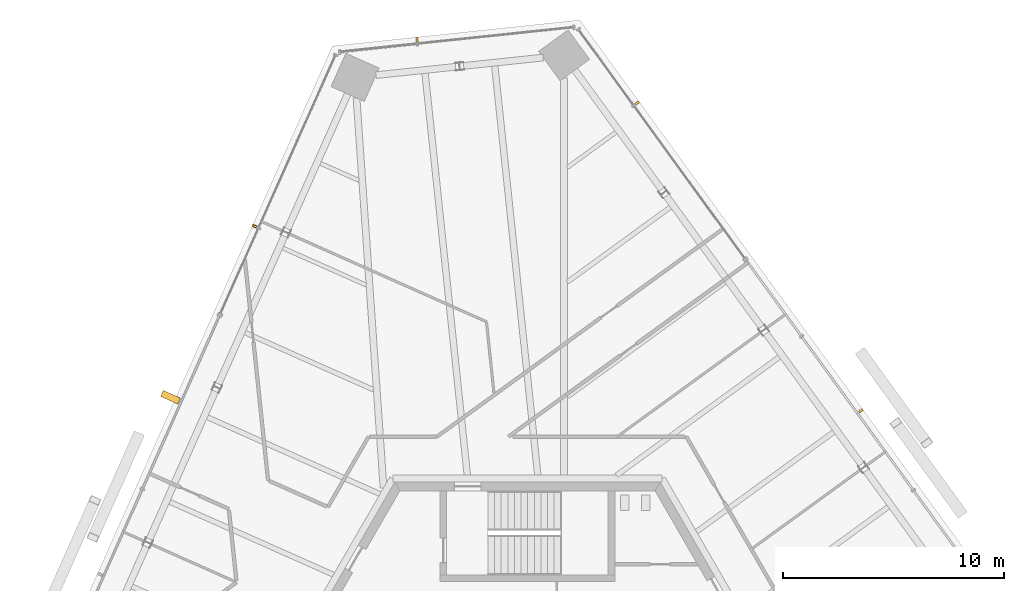
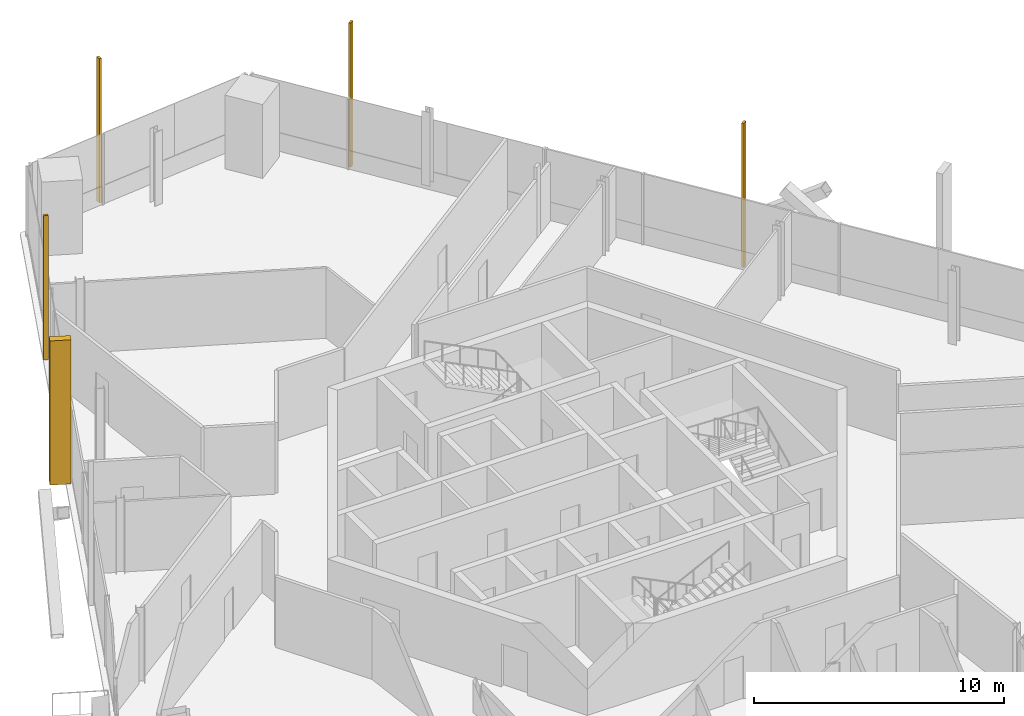
# One storey, part 17 of 20: 5 shading devices.
"""IFC4 building model written with IfcOpenShell, lengths in metres."""

from ifc_helpers import new_model, si_unit, direction, frame, origin, origin_2d, place, context, subcontext, project, spatial, rectangle, extrude, source, transform, mapped, material, element, save


model = new_model("IFC4")

# Units and contexts
model_context = context("Model", 3, precision=1e-05, world=origin(), true_north=direction((0.0, 1.0)))
body_context = subcontext(model_context, "Body", "Model", "MODEL_VIEW")
ifc_project = project(units=[si_unit("LENGTHUNIT", "METRE"), si_unit("AREAUNIT", "SQUARE_METRE"), si_unit("VOLUMEUNIT", "CUBIC_METRE"), si_unit("PLANEANGLEUNIT", "RADIAN"), si_unit("MASSUNIT", "GRAM", prefix="KILO")], contexts=[model_context])

# Site, building, storey
site_placement = place(None, origin())
site = spatial("IfcSite", under=ifc_project, at=site_placement, CompositionType="ELEMENT")
building_placement = place(site_placement, origin())
building = spatial("IfcBuilding", under=site, at=building_placement, Name="Triune Harvest Tower", CompositionType="ELEMENT")
storey_placement = place(building_placement, frame((0.0, 0.0, 234.10009765625)))
storey = spatial("IfcBuildingStorey", under=building, at=storey_placement, Name="L61", CompositionType="ELEMENT", Elevation=234.10009765625)

# Shading devices
ifc_material = material(Name="Aluminium bronze anodised", Category="aluminium")
shared_shape_1 = source(origin(), body_context, "Body", "SweptSolid", [
    extrude(rectangle(XDim=0.10009765625, YDim=0.199951171875, at=origin_2d()), origin(), (0.0, 0.0, 1.0), 7.0400390625),
])
for number, where, z_axis, x_axis, name in (
    (1, (15.081298828125, 13.61474609375, 0.0), (0.0, 0.0, 1.0), (-0.587785672066, 0.809016689391, 0.0), "FN-1 fin B6-F1.7 L61"),
    (2, (4.97119140625, 27.52978515625, 0.0), (0.0, 0.0, 1.0), (-0.587785672066, 0.809016689391, 0.0), "FN-1 fin B6-F1.11 L61"),
    (3, (-4.993408203125, 30.40576171875, 0.0), (0.0, 0.0, 1.0), (-0.994521768229, -0.104529672907, 0.0), "FN-1 fin B6-F2.3 L61"),
    (4, (-12.339599609375, 21.95703125, 0.0), (0.0, 0.0, 1.0), (-0.406737912248, -0.91354489257, 0.0), "FN-1 fin B6-F3.3 L61"),
):
    element("IfcShadingDevice", number, at=place(storey_placement, frame(where, z_axis=z_axis, x_axis=x_axis)), inside=storey, material=ifc_material, Name=name, ObjectType="FIN", PredefinedType="USERDEFINED", context=body_context, shape_type="MappedRepresentation", body=[
        mapped(shared_shape_1, transform((0.0, 0.0, 0.0), scale=1.0)),
    ])
shared_shape_2 = source(origin(), body_context, "Body", "SweptSolid", [
    extrude(rectangle(XDim=0.300048828125, YDim=0.85009765625, at=origin_2d()), origin(), (0.0, 0.0, 1.0), 7.0400390625),
])
shading_device_placement = place(storey_placement, frame((-16.138671875, 14.223388671875, 0.0), z_axis=(0.0, 0.0, 1.0), x_axis=(-0.406737912248, -0.91354489257, 0.0)))
element("IfcShadingDevice", 5, at=shading_device_placement, inside=storey, material=ifc_material, Name="FN-2 fin B6-F3.5 L61", ObjectType="FIN", PredefinedType="USERDEFINED", context=body_context, shape_type="MappedRepresentation", body=[
    mapped(shared_shape_2, transform((0.0, 0.0, 0.0), scale=1.0)),
])

save(model, "model.ifc")
